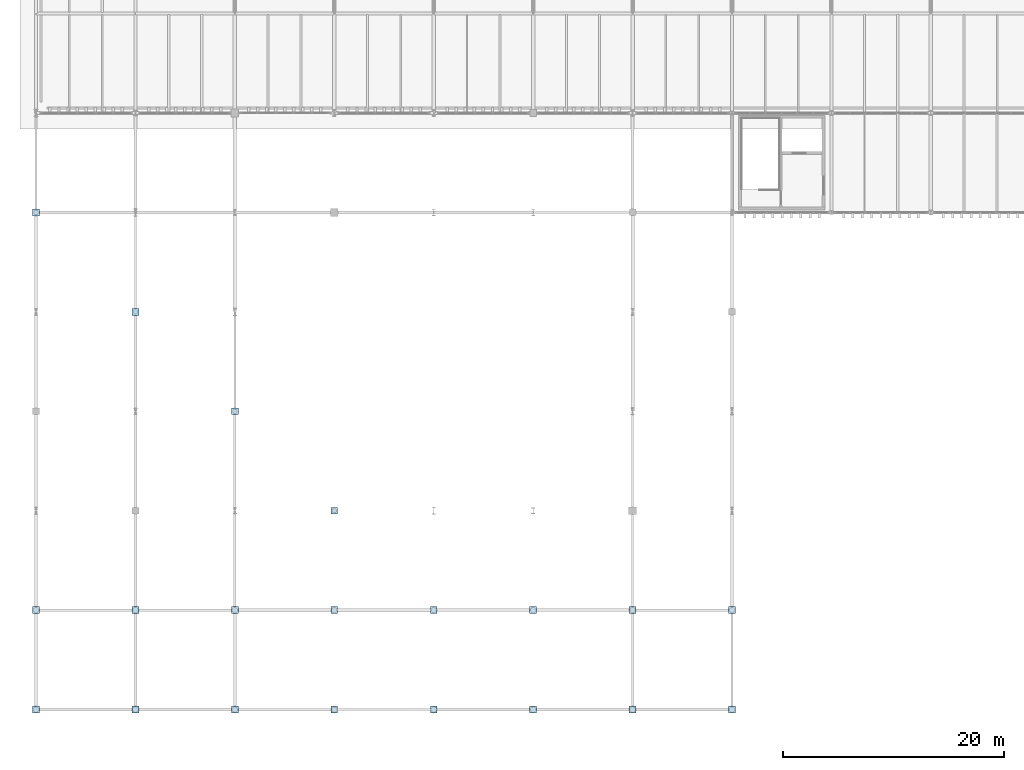
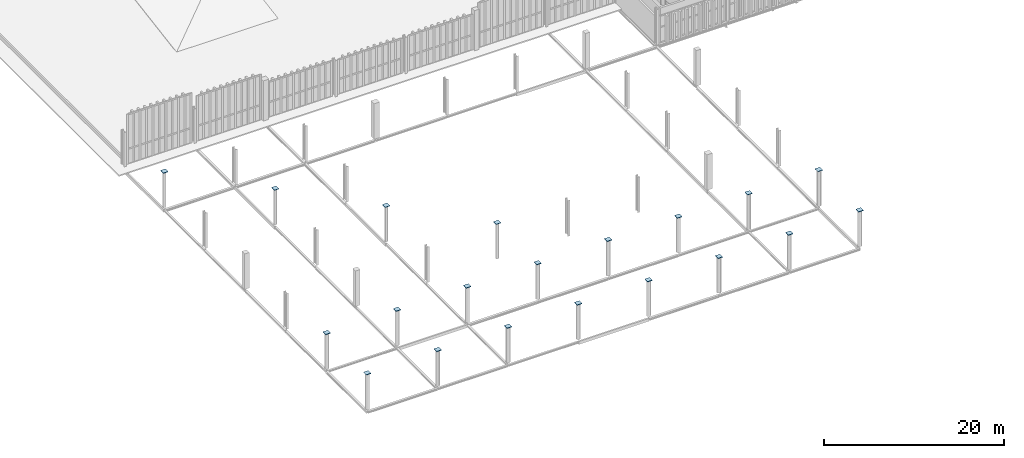
# One storey, part 172 of 196: 20 plates.
"""IFC4 building model written with IfcOpenShell, lengths in metres."""

import ifcopenshell
import ifcopenshell.guid

model = None  # the IFC model being written
_history = None  # IfcOwnerHistory: only IFC2X3 demands one
_inside = {}  # id of a spatial element -> (the spatial element, [elements in it])
_under = {}  # id of a project, library or spatial element -> (it, [spatial elements below it])
_declared = {}  # id of a project -> (the project, [libraries it declares])
_typed = {}  # id of a type object -> (the type object, [elements of that type])
_made_of = {}  # id of a material, layer set ... -> (it, [elements and type objects made of it])


def new_model(schema):
    """Start an empty IFC model of exactly this schema.

    Asked for "IFC4X3", IfcOpenShell would pick the latest addendum, in which some entities
    have other attributes; the version numbers below select the first issue.
    IFC2X3 requires an IfcOwnerHistory on every rooted entity: one is made here for all.
    """
    global model, _history
    if schema == "IFC4X3":
        model = ifcopenshell.file(schema_version=(4, 3, 0, 0))
    else:
        model = ifcopenshell.file(schema=schema)
    _inside.clear()
    _under.clear()
    _declared.clear()
    _typed.clear()
    _made_of.clear()
    _history = None
    if model.schema == "IFC2X3":
        org = make("IfcOrganization", Name="unknown")
        user = make(
            "IfcPersonAndOrganization",
            ThePerson=make("IfcPerson", FamilyName="unknown"),
            TheOrganization=org,
        )
        app = make(
            "IfcApplication",
            ApplicationDeveloper=org,
            Version="unknown",
            ApplicationFullName="unknown",
            ApplicationIdentifier="unknown",
        )
        _history = make(
            "IfcOwnerHistory",
            OwningUser=user,
            OwningApplication=app,
            ChangeAction="ADDED",
            CreationDate=0,
        )
    return model


def make(cls, **values):
    """One entity of the class cls with the attributes given. An attribute that is None is left unset."""
    return model.create_entity(
        cls, **{name: value for name, value in values.items() if value is not None}
    )


def rooted(cls, **values):
    """An entity with a GlobalId (a new one), such as an element, a storey or a relation."""
    return make(cls, GlobalId=ifcopenshell.guid.new(), OwnerHistory=_history, **values)


def si_unit(unit_type, name, prefix=None):
    """IfcSIUnit, for example si_unit("LENGTHUNIT", "METRE", prefix="MILLI")."""
    return make("IfcSIUnit", UnitType=unit_type, Prefix=prefix, Name=name)


def assignment(units):
    """IfcUnitAssignment: the units of a project."""
    return None if units is None else make("IfcUnitAssignment", Units=units)


def point(xyz):
    """IfcCartesianPoint."""
    return None if xyz is None else make("IfcCartesianPoint", Coordinates=xyz)


def direction(xyz):
    """IfcDirection."""
    return None if xyz is None else make("IfcDirection", DirectionRatios=xyz)


def frame(location, z_axis=None, x_axis=None):
    """IfcAxis2Placement3D, a coordinate frame: its origin and axes. An axis left out is left unset."""
    return make(
        "IfcAxis2Placement3D",
        Location=point(location),
        Axis=direction(z_axis),
        RefDirection=direction(x_axis),
    )


def frame_2d(location, x_axis=None):
    """IfcAxis2Placement2D, a coordinate frame in the plane: its origin and x axis."""
    return make(
        "IfcAxis2Placement2D", Location=point(location), RefDirection=direction(x_axis)
    )


def origin():
    """The frame at (0, 0, 0) with its axes left unset."""
    return frame((0.0, 0.0, 0.0))


def origin_2d():
    """The frame at (0, 0) in the plane with its x axis left unset."""
    return frame_2d((0.0, 0.0))


def place(relative_to, where):
    """IfcLocalPlacement: puts the frame where relative to a parent placement (None: the world)."""
    return make(
        "IfcLocalPlacement", PlacementRelTo=relative_to, RelativePlacement=where
    )


def context(
    kind, dimensions, precision=None, world=None, true_north=None, identifier=None
):
    """IfcGeometricRepresentationContext, for example the 3D "Model" context."""
    return make(
        "IfcGeometricRepresentationContext",
        ContextIdentifier=identifier,
        ContextType=kind,
        CoordinateSpaceDimension=dimensions,
        Precision=precision,
        WorldCoordinateSystem=world,
        TrueNorth=true_north,
    )


def subcontext(parent, identifier, kind, view, scale=None):
    """IfcGeometricRepresentationSubContext, for example "Body" below "Model"."""
    return make(
        "IfcGeometricRepresentationSubContext",
        ContextIdentifier=identifier,
        ContextType=kind,
        ParentContext=parent,
        TargetScale=scale,
        TargetView=view,
    )


def project(units=None, contexts=None):
    """IfcProject with its units and contexts."""
    return rooted(
        "IfcProject",
        Name="project",
        RepresentationContexts=contexts,
        UnitsInContext=assignment(units),
    )


def spatial(cls, under=None, at=None, **own):
    """A site, building, storey or space (cls), placed at a placement, below another one or the project."""
    s = rooted(cls, ObjectPlacement=at, **own)
    if under is not None:
        _under.setdefault(under.id(), (under, []))[1].append(s)
    return s


def profile(cls, at=None, kind="AREA", **sizes):
    """A parametric profile (cls). Its sizes go by their IFC names, for example OverallWidth=200.0."""
    return make(cls, ProfileType=kind, Position=at, **sizes)


def rectangle(**sizes):
    """IfcRectangleProfileDef."""
    return profile("IfcRectangleProfileDef", **sizes)


def extrude(swept, where, along, depth):
    """IfcExtrudedAreaSolid: the profile swept, set in the frame where, extruded along a direction by depth."""
    return make(
        "IfcExtrudedAreaSolid",
        SweptArea=swept,
        Position=where,
        ExtrudedDirection=direction(along),
        Depth=depth,
    )


def shape(context_of_items, identifier, shape_type, items):
    """IfcShapeRepresentation: the items that make up one representation, for example the "Body"."""
    return make(
        "IfcShapeRepresentation",
        ContextOfItems=context_of_items,
        RepresentationIdentifier=identifier,
        RepresentationType=shape_type,
        Items=items,
    )


def material(Name=None, Category=None):
    """IfcMaterial."""
    return make("IfcMaterial", Name=Name, Category=Category)


def layer(
    of_material, thickness, ventilated=None, Name=None, Category=None, Priority=None
):
    """IfcMaterialLayer: one layer of a wall or slab, of a material (None: an air gap)."""
    return make(
        "IfcMaterialLayer",
        Material=of_material,
        LayerThickness=thickness,
        IsVentilated=ventilated,
        Name=Name,
        Category=Category,
        Priority=Priority,
    )


def layer_set(layers, Name=None):
    """IfcMaterialLayerSet."""
    return make("IfcMaterialLayerSet", MaterialLayers=layers, LayerSetName=Name)


def made_of(thing, what):
    """Note that an element or type object is made of a material, layer set ...; save() writes the relation."""
    if what is not None:
        _made_of.setdefault(what.id(), (what, []))[1].append(thing)
    return thing


def type_object(cls, material=None, **own):
    """A type object (cls), such as IfcWallType, which elements share."""
    return made_of(rooted(cls, **own), material)


def element(
    cls,
    number,
    at=None,
    inside=None,
    cuts=None,
    type_object=None,
    material=None,
    context=None,
    identifier="Body",
    shape_type=None,
    held_by="IfcProductDefinitionShape",
    body=None,
    shapes=None,
    **own,
):
    """One element of the class cls, such as IfcWall. Its Tag is "e" and its number.

    at: its placement. inside: the storey or other place that contains it. cuts: it is an
    opening in that element (IfcRelVoidsElement). A single representation is given by context,
    identifier, shape_type and body (its items); several are given by shapes. held_by: the class
    of the entity that holds the representations. save() writes the other relations.
    """
    e = rooted(cls, Tag="e%d" % number, ObjectPlacement=at, **own)
    if body is not None:
        shapes = [shape(context, identifier, shape_type, body)]
    if shapes is not None:
        e.Representation = make(held_by, Representations=shapes)
    if inside is not None:
        _inside.setdefault(inside.id(), (inside, []))[1].append(e)
    if cuts is not None:
        rooted(
            "IfcRelVoidsElement", RelatingBuildingElement=cuts, RelatedOpeningElement=e
        )
    if type_object is not None:
        _typed.setdefault(type_object.id(), (type_object, []))[1].append(e)
    return made_of(e, material)


def aggregate(whole, parts):
    """IfcRelAggregates: a whole, such as a stair, and the parts it consists of."""
    return rooted("IfcRelAggregates", RelatingObject=whole, RelatedObjects=parts)


def save(model, path):
    """Write the relations noted so far, then the file.

    IfcRelAggregates (storeys below a building ...), IfcRelContainedInSpatialStructure (elements
    in a storey), IfcRelDefinesByType, IfcRelAssociatesMaterial and IfcRelDeclares: one each for
    every whole, place, type object, material and project.
    """
    for whole, parts in _under.values():
        aggregate(whole, parts)
    for where, things in _inside.values():
        rooted(
            "IfcRelContainedInSpatialStructure",
            RelatedElements=things,
            RelatingStructure=where,
        )
    for kind, things in _typed.values():
        rooted("IfcRelDefinesByType", RelatedObjects=things, RelatingType=kind)
    for what, things in _made_of.values():
        rooted("IfcRelAssociatesMaterial", RelatedObjects=things, RelatingMaterial=what)
    for by, libraries in _declared.values():
        rooted("IfcRelDeclares", RelatingContext=by, RelatedDefinitions=libraries)
    model.write(path)


model = new_model("IFC4")

# Units and contexts
model_context = context("Model", 3, precision=1e-05, world=origin(), true_north=direction((0.0, 1.0)))
body_context = subcontext(model_context, "Body", "Model", "MODEL_VIEW")
ifc_project = project(units=[si_unit("LENGTHUNIT", "METRE"), si_unit("AREAUNIT", "SQUARE_METRE"), si_unit("VOLUMEUNIT", "CUBIC_METRE"), si_unit("PLANEANGLEUNIT", "RADIAN"), si_unit("MASSUNIT", "GRAM", prefix="KILO")], contexts=[model_context])

# Site, building, storey
site_placement = place(None, origin())
site = spatial("IfcSite", under=ifc_project, at=site_placement, CompositionType="ELEMENT")
building_placement = place(site_placement, origin())
building = spatial("IfcBuilding", under=site, at=building_placement, Name="Barlavento Convention Centre", CompositionType="ELEMENT")
storey_placement = place(building_placement, frame((0.0, 0.0, 18.0)))
storey = spatial("IfcBuildingStorey", under=building, at=storey_placement, Name="L03", CompositionType="ELEMENT", Elevation=18.0)

# Plates
ifc_material = material(Name="Steel S355", Category="steel")
ifc_layer = layer(ifc_material, 0.06005859375)
ifc_layer_set = layer_set([ifc_layer], Name="STR-PLT-CAP-620")
plate_type = type_object("IfcPlateType", Name="STR-PLT-CAP-620", PredefinedType="SHEET", material=ifc_layer_set)
for number, where, z_axis, x_axis, name in (
    (1, (0.0, 0.0, 4.77001953125), (0.0, 0.0, 1.0), (1.0, 0.0, 0.0), "Hollow column sealing end-cap plate EC04"),
    (2, (0.0, 9.0, 4.77001953125), (0.0, 0.0, 1.0), (1.0, 0.0, 0.0), "Hollow column sealing end-cap plate EC04"),
    (3, (0.0, 45.0, 4.77001953125), (0.0, 0.0, 1.0), (1.0, 0.0, 0.0), "Hollow column sealing end-cap plate EC04"),
    (4, (9.0, 0.0, 4.77001953125), (0.0, 0.0, 1.0), (1.0, 0.0, 0.0), "Hollow column sealing end-cap plate EC04"),
    (5, (9.0, 9.0, 4.77001953125), (0.0, 0.0, 1.0), (1.0, 0.0, 0.0), "Hollow column sealing end-cap plate EC04"),
    (6, (9.0, 36.0, 4.77001953125), (0.0, 0.0, 1.0), (1.0, 0.0, 0.0), "Hollow column sealing end-cap plate EC04"),
    (7, (18.0, 0.0, 4.77001953125), (0.0, 0.0, 1.0), (1.0, 0.0, 0.0), "Hollow column sealing end-cap plate EC04"),
    (8, (18.0, 9.0, 4.77001953125), (0.0, 0.0, 1.0), (1.0, 0.0, 0.0), "Hollow column sealing end-cap plate EC04"),
    (9, (18.0, 27.0, 4.77001953125), (0.0, 0.0, 1.0), (1.0, 0.0, 0.0), "Hollow column sealing end-cap plate EC04"),
    (10, (27.0, 0.0, 4.77001953125), (0.0, 0.0, 1.0), (1.0, 0.0, 0.0), "Hollow column sealing end-cap plate EC04"),
    (11, (27.0, 9.0, 4.77001953125), (0.0, 0.0, 1.0), (1.0, 0.0, 0.0), "Hollow column sealing end-cap plate EC04"),
    (12, (27.0, 18.0, 4.77001953125), (0.0, 0.0, 1.0), (1.0, 0.0, 0.0), "Hollow column sealing end-cap plate EC04"),
    (13, (36.0, 0.0, 4.77001953125), (0.0, 0.0, 1.0), (1.0, 0.0, 0.0), "Hollow column sealing end-cap plate EC04"),
    (14, (36.0, 9.0, 4.77001953125), (0.0, 0.0, 1.0), (1.0, 0.0, 0.0), "Hollow column sealing end-cap plate EC04"),
    (15, (45.0, 0.0, 4.77001953125), (0.0, 0.0, 1.0), (1.0, 0.0, 0.0), "Hollow column sealing end-cap plate EC04"),
    (16, (45.0, 9.0, 4.77001953125), (0.0, 0.0, 1.0), (1.0, 0.0, 0.0), "Hollow column sealing end-cap plate EC04"),
    (17, (54.0, 0.0, 4.77001953125), (0.0, 0.0, 1.0), (1.0, 0.0, 0.0), "Hollow column sealing end-cap plate EC04"),
    (18, (54.0, 9.0, 4.77001953125), (0.0, 0.0, 1.0), (1.0, 0.0, 0.0), "Hollow column sealing end-cap plate EC04"),
    (19, (63.0, 0.0, 4.77001953125), (0.0, 0.0, 1.0), (1.0, 0.0, 0.0), "Hollow column sealing end-cap plate EC04"),
    (20, (63.0, 9.0, 4.77001953125), (0.0, 0.0, 1.0), (1.0, 0.0, 0.0), "Hollow column sealing end-cap plate EC04"),
):
    element("IfcPlate", number, at=place(storey_placement, frame(where, z_axis=z_axis, x_axis=x_axis)), inside=storey, type_object=plate_type, Name=name, PredefinedType="SHEET", context=body_context, shape_type="SweptSolid", body=[
        extrude(rectangle(XDim=0.6201171875, YDim=0.6201171875, at=origin_2d()), origin(), (0.0, 0.0, 1.0), 0.06005859375),
    ])

save(model, "model.ifc")
